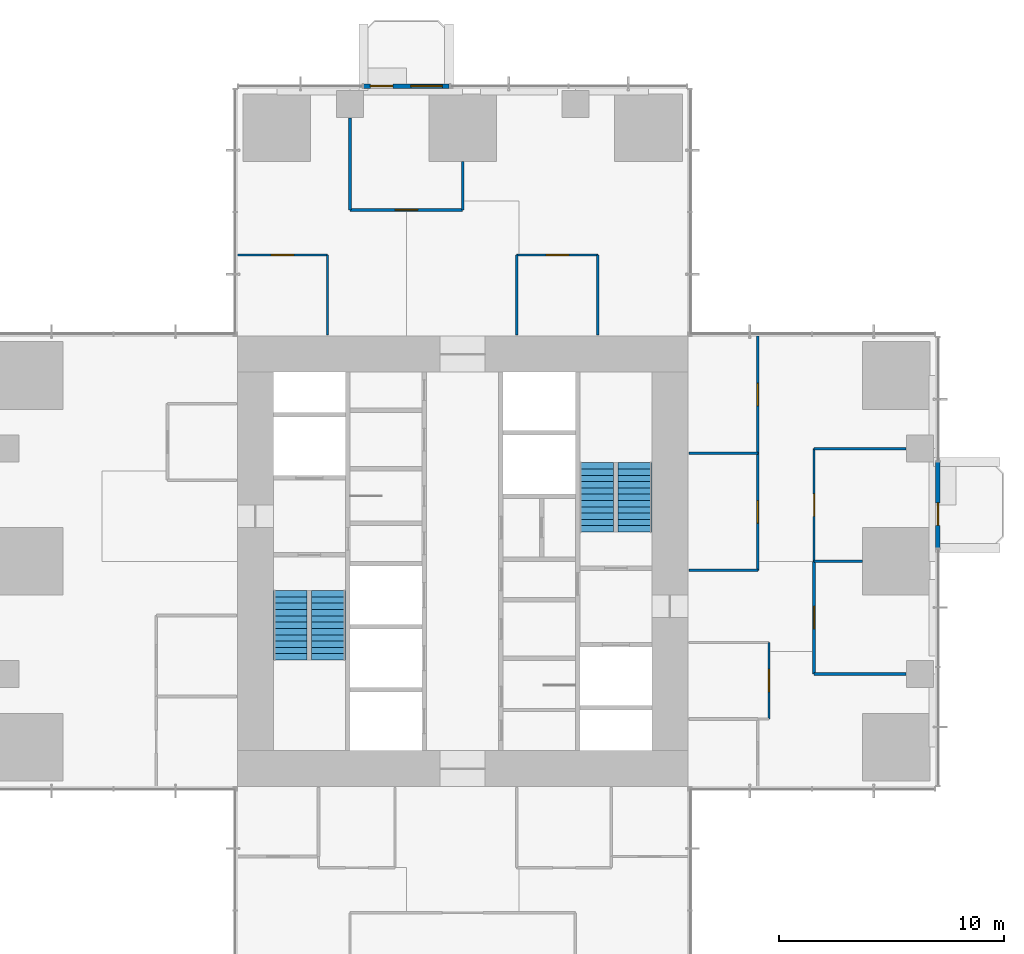
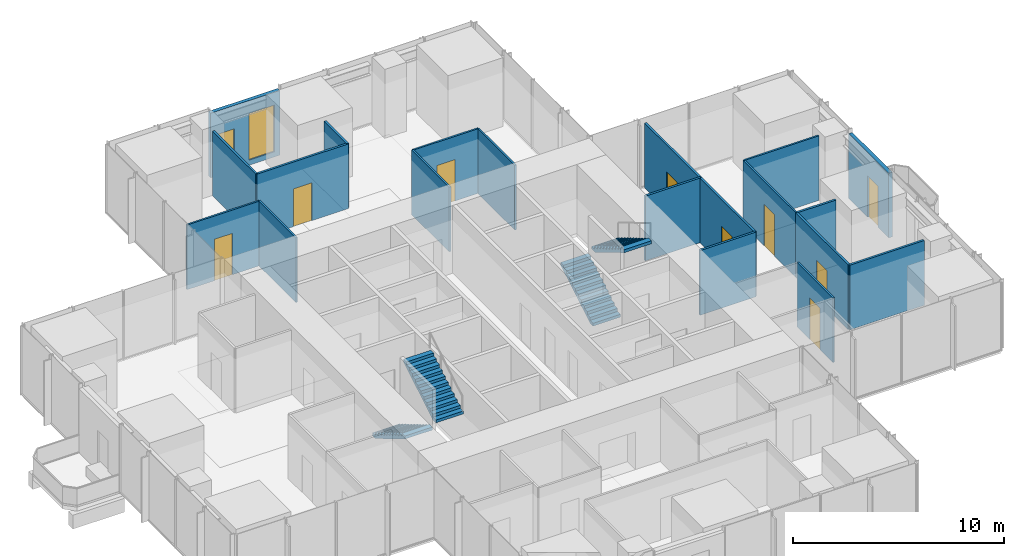
# One storey, part 10 of 13: 20 walls, 10 doors, 4 stair flights, 1 window, 11 openings, 2 elements without a shape of their own.
"""IFC4 building model written with IfcOpenShell, lengths in metres."""

from ifc_helpers import new_model, si_unit, direction, frame, frame_2d, origin, place, context, subcontext, project, spatial, polyline, rectangle, outline, extrude, material, layer, layer_set, type_object, element, fill, aggregate, save


model = new_model("IFC4")

# Units and contexts
model_context = context("Model", 3, precision=1e-05, world=origin(), true_north=direction((0.0, 1.0)))
body_context = subcontext(model_context, "Body", "Model", "MODEL_VIEW")
ifc_project = project(units=[si_unit("LENGTHUNIT", "METRE"), si_unit("AREAUNIT", "SQUARE_METRE"), si_unit("VOLUMEUNIT", "CUBIC_METRE"), si_unit("PLANEANGLEUNIT", "RADIAN"), si_unit("MASSUNIT", "GRAM", prefix="KILO")], contexts=[model_context])

# Site, building, storey
site_placement = place(None, origin())
site = spatial("IfcSite", under=ifc_project, at=site_placement, CompositionType="ELEMENT")
building_placement = place(site_placement, origin())
building = spatial("IfcBuilding", under=site, at=building_placement, Name="Svetlomir Tower", CompositionType="ELEMENT")
storey_placement = place(building_placement, frame((0.0, 0.0, 100.5)))
storey = spatial("IfcBuildingStorey", under=building, at=storey_placement, Name="L23", CompositionType="ELEMENT", Elevation=100.5)

# Wall, opening, door
ifc_material_1 = material(Name="Bronze anodised aluminium glazed screen", Category="aluminium")
ifc_layer_1 = layer(ifc_material_1, 0.199951171875)
ifc_layer_set_1 = layer_set([ifc_layer_1], Name="Bronze anodised aluminium glazed screen")
wall_type_1 = type_object("IfcWallType", Name="BALCONY SCREEN WALL 200", PredefinedType="USERDEFINED", material=ifc_layer_set_1)
wall_1_placement = place(storey_placement, frame((42.10009765625, 21.60009765625, 0.0), z_axis=(0.0, 0.0, 1.0), x_axis=(0.0, 1.0, 0.0)))
wall_1 = element("IfcWall", 1, at=wall_1_placement, inside=storey, type_object=wall_type_1, Name="Balcony screen E", ObjectType="GLAZED SCREEN", PredefinedType="USERDEFINED", context=body_context, shape_type="SweptSolid", body=[
    extrude(rectangle(XDim=3.7998046875, YDim=0.199951171875, at=frame_2d((1.89990234375, 0.0))), origin(), (0.0, 0.0, 1.0), 3.75),
])
opening_1_placement = place(wall_1_placement, frame((1.0, 0.0, 0.0)))
opening_1 = element("IfcOpeningElement", 2, at=opening_1_placement, cuts=wall_1, Name="Opening BD", PredefinedType="OPENING", context=body_context, shape_type="SweptSolid", body=[
    extrude(rectangle(XDim=1.0, YDim=2.39990234375, at=frame_2d((0.5, 1.199951171875))), frame((0.0, 0.10986328125, 0.0), z_axis=(0.0, -1.0, 0.0), x_axis=(1.0, 0.0, 0.0)), (0.0, 0.0, 1.0), 0.219970703125),
])
ifc_material_2 = material(Name="Bronze anodised aluminium glazed door", Category="aluminium")
door_type_1 = type_object("IfcDoorType", Name="BALCONY DOOR BD 1000x2400", OperationType="SINGLE_SWING_LEFT", PredefinedType="DOOR", material=ifc_material_2)
door_1_placement = place(opening_1_placement, origin())
door_1 = element("IfcDoor", 3, at=door_1_placement, inside=storey, type_object=door_type_1, Name="Balcony screen E door", OperationType="SINGLE_SWING_LEFT", OverallHeight=2.39990234375, OverallWidth=1.0, PredefinedType="DOOR", context=body_context, shape_type="SweptSolid", body=[
    extrude(rectangle(XDim=1.0, YDim=2.39990234375, at=frame_2d((0.5, 1.199951171875))), frame((0.0, 0.02490234375, 0.0), z_axis=(0.0, -1.0, 0.0), x_axis=(1.0, 0.0, 0.0)), (0.0, 0.0, 1.0), 0.050048828125),
])
fill(opening_1, door_1)

# Wall, openings, door, window
wall_2_placement = place(storey_placement, frame((20.39990234375, 42.10009765625, 0.0), z_axis=(0.0, 0.0, 1.0), x_axis=(-1.0, 0.0, 0.0)))
wall_2 = element("IfcWall", 4, at=wall_2_placement, inside=storey, type_object=wall_type_1, Name="Balcony screen N", ObjectType="GLAZED SCREEN", PredefinedType="USERDEFINED", context=body_context, shape_type="SweptSolid", body=[
    extrude(rectangle(XDim=3.7998046875, YDim=0.199951171875, at=frame_2d((1.89990234375, 0.0))), origin(), (0.0, 0.0, 1.0), 3.75),
])
opening_2_placement = place(wall_2_placement, frame((2.5, 0.0, 0.0)))
opening_2 = element("IfcOpeningElement", 5, at=opening_2_placement, cuts=wall_2, Name="Opening BD", PredefinedType="OPENING", context=body_context, shape_type="SweptSolid", body=[
    extrude(rectangle(XDim=1.0, YDim=2.39990234375, at=frame_2d((0.5, 1.199951171875))), frame((0.0, 0.10986328125, 0.0), z_axis=(0.0, -1.0, 0.0), x_axis=(1.0, 0.0, 0.0)), (0.0, 0.0, 1.0), 0.219970703125),
])
opening_3_placement = place(wall_2_placement, frame((0.300048828125, 0.0, 0.300048828125)))
opening_3 = element("IfcOpeningElement", 6, at=opening_3_placement, cuts=wall_2, Name="Opening WS2", PredefinedType="OPENING", context=body_context, shape_type="SweptSolid", body=[
    extrude(rectangle(XDim=1.39990234375, YDim=2.699951171875, at=frame_2d((0.699951171875, 1.35009765625))), frame((0.0, 0.10986328125, 0.0), z_axis=(0.0, -1.0, 0.0), x_axis=(1.0, 0.0, 0.0)), (0.0, 0.0, 1.0), 0.219970703125),
])
door_2_placement = place(opening_2_placement, origin())
door_2 = element("IfcDoor", 7, at=door_2_placement, inside=storey, type_object=door_type_1, Name="Balcony screen N door", OperationType="SINGLE_SWING_LEFT", OverallHeight=2.39990234375, OverallWidth=1.0, PredefinedType="DOOR", context=body_context, shape_type="SweptSolid", body=[
    extrude(rectangle(XDim=1.0, YDim=2.39990234375, at=frame_2d((0.5, 1.199951171875))), frame((0.0, 0.02490234375, 0.0), z_axis=(0.0, -1.0, 0.0), x_axis=(1.0, 0.0, 0.0)), (0.0, 0.0, 1.0), 0.050048828125),
])
fill(opening_2, door_2)
ifc_material_3 = material(Name="Bronze anodised aluminium window", Category="aluminium")
window_type = type_object("IfcWindowType", Name="SCREEN WINDOW WS2 1400x2700", PartitioningType="SINGLE_PANEL", PredefinedType="WINDOW", material=ifc_material_3)
window_placement = place(opening_3_placement, origin())
window = element("IfcWindow", 8, at=window_placement, inside=storey, type_object=window_type, Name="Balcony screen N window 1", OverallHeight=2.699951171875, OverallWidth=1.39990234375, PartitioningType="SINGLE_PANEL", PredefinedType="WINDOW", context=body_context, shape_type="SweptSolid", body=[
    extrude(rectangle(XDim=1.39990234375, YDim=2.699951171875, at=frame_2d((0.699951171875, 1.35009765625))), frame((0.0, 0.030029296875, 0.0), z_axis=(0.0, -1.0, 0.0), x_axis=(1.0, 0.0, 0.0)), (0.0, 0.0, 1.0), 0.06005859375),
])
fill(opening_3, window)

# Wall, opening, door
ifc_material_4 = material(Name="Framed laminated glass partition", Category="glass")
ifc_layer_2 = layer(ifc_material_4, 0.10009765625)
ifc_layer_set_2 = layer_set([ifc_layer_2], Name="Framed laminated glass partition")
wall_type_2 = type_object("IfcWallType", Name="GLAZED PARTITION 100", PredefinedType="PARTITIONING", material=ifc_layer_set_2)
wall_3_placement = place(storey_placement, frame((11.0, 34.60009765625, 0.0), z_axis=(0.0, 0.0, 1.0), x_axis=(1.0, 0.0, 0.0)))
wall_3 = element("IfcWall", 9, at=wall_3_placement, inside=storey, type_object=wall_type_2, Name="Glazed partition L23", PredefinedType="PARTITIONING", context=body_context, shape_type="SweptSolid", body=[
    extrude(rectangle(XDim=4.0, YDim=0.10009765625, at=frame_2d((2.0, 0.0))), origin(), (0.0, 0.0, 1.0), 3.75),
])
opening_4_placement = place(wall_3_placement, frame((1.5, 0.0, 0.0)))
opening_4 = element("IfcOpeningElement", 10, at=opening_4_placement, cuts=wall_3, Name="Opening DG", PredefinedType="OPENING", context=body_context, shape_type="SweptSolid", body=[
    extrude(rectangle(XDim=1.0, YDim=2.39990234375, at=frame_2d((0.5, 1.199951171875))), frame((0.0, 0.06005859375, 0.0), z_axis=(0.0, -1.0, 0.0), x_axis=(1.0, 0.0, 0.0)), (0.0, 0.0, 1.0), 0.1201171875),
])
ifc_material_5 = material(Name="Framed laminated glass door", Category="glass")
door_type_2 = type_object("IfcDoorType", Name="GLAZED DOOR DG 1000x2400", OperationType="SINGLE_SWING_LEFT", PredefinedType="DOOR", material=ifc_material_5)
door_3_placement = place(opening_4_placement, origin())
door_3 = element("IfcDoor", 11, at=door_3_placement, inside=storey, type_object=door_type_2, Name="Client advisory room, 8 seats door L23", OperationType="SINGLE_SWING_RIGHT", OverallHeight=2.39990234375, OverallWidth=1.0, PredefinedType="DOOR", context=body_context, shape_type="SweptSolid", body=[
    extrude(rectangle(XDim=1.0, YDim=2.39990234375, at=frame_2d((0.5, 1.199951171875))), frame((0.0, 0.02490234375, 0.0), z_axis=(0.0, -1.0, 0.0), x_axis=(1.0, 0.0, 0.0)), (0.0, 0.0, 1.0), 0.050048828125),
])
fill(opening_4, door_3)

# Walls
for number, where, z_axis, x_axis, name in (
    (12, (15.0, 31.050048828125, 0.0), (0.0, 0.0, 1.0), (0.0, 1.0, 0.0), "Glazed partition L23"),
    (13, (23.39990234375, 31.050048828125, 0.0), (0.0, 0.0, 1.0), (0.0, 1.0, 0.0), "Glazed partition L23"),
):
    element("IfcWall", number, at=place(storey_placement, frame(where, z_axis=z_axis, x_axis=x_axis)), inside=storey, type_object=wall_type_2, Name=name, PredefinedType="PARTITIONING", context=body_context, shape_type="SweptSolid", body=[
        extrude(rectangle(XDim=3.550048828125, YDim=0.10009765625, at=frame_2d((1.77490234375, 0.0))), origin(), (0.0, 0.0, 1.0), 3.75),
    ])

# Wall, opening, door
wall_4_placement = place(storey_placement, frame((23.39990234375, 34.60009765625, 0.0), z_axis=(0.0, 0.0, 1.0), x_axis=(1.0, 0.0, 0.0)))
wall_4 = element("IfcWall", 14, at=wall_4_placement, inside=storey, type_object=wall_type_2, Name="Glazed partition L23", PredefinedType="PARTITIONING", context=body_context, shape_type="SweptSolid", body=[
    extrude(rectangle(XDim=3.60009765625, YDim=0.10009765625, at=frame_2d((1.800048828125, 0.0))), origin(), (0.0, 0.0, 1.0), 3.75),
])
opening_5_placement = place(wall_4_placement, frame((1.300048828125, 0.0, 0.0)))
opening_5 = element("IfcOpeningElement", 15, at=opening_5_placement, cuts=wall_4, Name="Opening DG", PredefinedType="OPENING", context=body_context, shape_type="SweptSolid", body=[
    extrude(rectangle(XDim=1.0, YDim=2.39990234375, at=frame_2d((0.5, 1.199951171875))), frame((0.0, 0.06005859375, 0.0), z_axis=(0.0, -1.0, 0.0), x_axis=(1.0, 0.0, 0.0)), (0.0, 0.0, 1.0), 0.1201171875),
])
door_4_placement = place(opening_5_placement, origin())
door_4 = element("IfcDoor", 16, at=door_4_placement, inside=storey, type_object=door_type_2, Name="Focus room 2 door L23", OperationType="SINGLE_SWING_LEFT", OverallHeight=2.39990234375, OverallWidth=1.0, PredefinedType="DOOR", context=body_context, shape_type="SweptSolid", body=[
    extrude(rectangle(XDim=1.0, YDim=2.39990234375, at=frame_2d((0.5, 1.199951171875))), frame((0.0, 0.02490234375, 0.0), z_axis=(0.0, -1.0, 0.0), x_axis=(1.0, 0.0, 0.0)), (0.0, 0.0, 1.0), 0.050048828125),
])
fill(opening_5, door_4)

# Wall
wall_5_placement = place(storey_placement, frame((27.0, 31.050048828125, 0.0), z_axis=(0.0, 0.0, 1.0), x_axis=(0.0, 1.0, 0.0)))
element("IfcWall", 17, at=wall_5_placement, inside=storey, type_object=wall_type_2, Name="Glazed partition L23", PredefinedType="PARTITIONING", context=body_context, shape_type="SweptSolid", body=[
    extrude(rectangle(XDim=3.550048828125, YDim=0.10009765625, at=frame_2d((1.77490234375, 0.0))), origin(), (0.0, 0.0, 1.0), 3.75),
])

# Wall, opening, door
wall_6_placement = place(storey_placement, frame((34.60009765625, 14.0, 0.0), z_axis=(0.0, 0.0, 1.0), x_axis=(0.0, 1.0, 0.0)))
wall_6 = element("IfcWall", 18, at=wall_6_placement, inside=storey, type_object=wall_type_2, Name="Glazed partition L23", PredefinedType="PARTITIONING", context=body_context, shape_type="SweptSolid", body=[
    extrude(rectangle(XDim=3.39990234375, YDim=0.10009765625, at=frame_2d((1.699951171875, 0.0))), origin(), (0.0, 0.0, 1.0), 3.75),
])
opening_6_placement = place(wall_6_placement, frame((1.199951171875, 0.0, 0.0)))
opening_6 = element("IfcOpeningElement", 19, at=opening_6_placement, cuts=wall_6, Name="Opening DG", PredefinedType="OPENING", context=body_context, shape_type="SweptSolid", body=[
    extrude(rectangle(XDim=1.0, YDim=2.39990234375, at=frame_2d((0.5, 1.199951171875))), frame((0.0, 0.06005859375, 0.0), z_axis=(0.0, -1.0, 0.0), x_axis=(1.0, 0.0, 0.0)), (0.0, 0.0, 1.0), 0.1201171875),
])
door_5_placement = place(opening_6_placement, origin())
door_5 = element("IfcDoor", 20, at=door_5_placement, inside=storey, type_object=door_type_2, Name="Focus room 1 door L23", OperationType="SINGLE_SWING_LEFT", OverallHeight=2.39990234375, OverallWidth=1.0, PredefinedType="DOOR", context=body_context, shape_type="SweptSolid", body=[
    extrude(rectangle(XDim=1.0, YDim=2.39990234375, at=frame_2d((0.5, 1.199951171875))), frame((0.0, 0.02490234375, 0.0), z_axis=(0.0, -1.0, 0.0), x_axis=(1.0, 0.0, 0.0)), (0.0, 0.0, 1.0), 0.050048828125),
])
fill(opening_6, door_5)

wall_7_placement = place(storey_placement, frame((36.60009765625, 21.0, 0.0), z_axis=(0.0, 0.0, 1.0), x_axis=(0.0, 1.0, 0.0)))
wall_7 = element("IfcWall", 21, at=wall_7_placement, inside=storey, type_object=wall_type_2, Name="Glazed partition L23", PredefinedType="PARTITIONING", context=body_context, shape_type="SweptSolid", body=[
    extrude(rectangle(XDim=5.0, YDim=0.10009765625, at=frame_2d((2.5, 0.0))), origin(), (0.0, 0.0, 1.0), 3.75),
])
opening_7_placement = place(wall_7_placement, frame((2.0, 0.0, 0.0)))
opening_7 = element("IfcOpeningElement", 22, at=opening_7_placement, cuts=wall_7, Name="Opening DG", PredefinedType="OPENING", context=body_context, shape_type="SweptSolid", body=[
    extrude(rectangle(XDim=1.0, YDim=2.39990234375, at=frame_2d((0.5, 1.199951171875))), frame((0.0, 0.06005859375, 0.0), z_axis=(0.0, -1.0, 0.0), x_axis=(1.0, 0.0, 0.0)), (0.0, 0.0, 1.0), 0.1201171875),
])
door_6_placement = place(opening_7_placement, origin())
door_6 = element("IfcDoor", 23, at=door_6_placement, inside=storey, type_object=door_type_2, Name="Client lounge door L23", OperationType="SINGLE_SWING_LEFT", OverallHeight=2.39990234375, OverallWidth=1.0, PredefinedType="DOOR", context=body_context, shape_type="SweptSolid", body=[
    extrude(rectangle(XDim=1.0, YDim=2.39990234375, at=frame_2d((0.5, 1.199951171875))), frame((0.0, 0.02490234375, 0.0), z_axis=(0.0, -1.0, 0.0), x_axis=(1.0, 0.0, 0.0)), (0.0, 0.0, 1.0), 0.050048828125),
])
fill(opening_7, door_6)

# Walls
wall_8_placement = place(storey_placement, frame((36.60009765625, 26.0, 0.0), z_axis=(0.0, 0.0, 1.0), x_axis=(1.0, 0.0, 0.0)))
element("IfcWall", 24, at=wall_8_placement, inside=storey, type_object=wall_type_2, Name="Glazed partition L23", PredefinedType="PARTITIONING", context=body_context, shape_type="SweptSolid", body=[
    extrude(rectangle(XDim=4.08984375, YDim=0.10009765625, at=frame_2d((2.044921875, 0.0))), origin(), (0.0, 0.0, 1.0), 3.75),
])
ifc_material_6 = material(Name="Gypsum board on steel studs", Category="steel")
ifc_layer_3 = layer(ifc_material_6, 0.1201171875)
ifc_layer_set_3 = layer_set([ifc_layer_3], Name="Gypsum board on steel studs")
wall_type_3 = type_object("IfcWallType", Name="PARTITION 120", PredefinedType="PARTITIONING", material=ifc_layer_set_3)
wall_9_placement = place(storey_placement, frame((16.0, 36.60009765625, 0.0), z_axis=(0.0, 0.0, 1.0), x_axis=(0.0, 1.0, 0.0)))
element("IfcWall", 25, at=wall_9_placement, inside=storey, type_object=wall_type_3, Name="Partition L23", PredefinedType="PARTITIONING", context=body_context, shape_type="SweptSolid", body=[
    extrude(rectangle(XDim=4.08984375, YDim=0.1201171875, at=frame_2d((2.044921875, 0.0))), origin(), (0.0, 0.0, 1.0), 3.75),
])

# Wall, opening, door
wall_10_placement = place(storey_placement, frame((16.0, 36.60009765625, 0.0), z_axis=(0.0, 0.0, 1.0), x_axis=(1.0, 0.0, 0.0)))
wall_10 = element("IfcWall", 26, at=wall_10_placement, inside=storey, type_object=wall_type_3, Name="Partition L23", PredefinedType="PARTITIONING", context=body_context, shape_type="SweptSolid", body=[
    extrude(rectangle(XDim=5.0, YDim=0.1201171875, at=frame_2d((2.5, 0.0))), origin(), (0.0, 0.0, 1.0), 3.75),
])
opening_8_placement = place(wall_10_placement, frame((2.0, 0.0, 0.0)))
opening_8 = element("IfcOpeningElement", 27, at=opening_8_placement, cuts=wall_10, Name="Opening DR", PredefinedType="OPENING", context=body_context, shape_type="SweptSolid", body=[
    extrude(rectangle(XDim=1.0, YDim=2.199951171875, at=frame_2d((0.5, 1.10009765625))), frame((0.0, 0.070068359375, 0.0), z_axis=(0.0, -1.0, 0.0), x_axis=(1.0, 0.0, 0.0)), (0.0, 0.0, 1.0), 0.14013671875),
])
ifc_material_7 = material(Name="Timber door, glazed side light", Category="wood")
door_type_3 = type_object("IfcDoorType", Name="DOOR DR 1000x2200", OperationType="SINGLE_SWING_LEFT", PredefinedType="DOOR", material=ifc_material_7)
door_7_placement = place(opening_8_placement, origin())
door_7 = element("IfcDoor", 28, at=door_7_placement, inside=storey, type_object=door_type_3, Name="Client service office door L23", OperationType="SINGLE_SWING_RIGHT", OverallHeight=2.199951171875, OverallWidth=1.0, PredefinedType="DOOR", context=body_context, shape_type="SweptSolid", body=[
    extrude(rectangle(XDim=1.0, YDim=2.199951171875, at=frame_2d((0.5, 1.10009765625))), frame((0.0, 0.02490234375, 0.0), z_axis=(0.0, -1.0, 0.0), x_axis=(1.0, 0.0, 0.0)), (0.0, 0.0, 1.0), 0.050048828125),
])
fill(opening_8, door_7)

# Walls
wall_11_placement = place(storey_placement, frame((21.0, 36.60009765625, 0.0), z_axis=(0.0, 0.0, 1.0), x_axis=(0.0, 1.0, 0.0)))
element("IfcWall", 29, at=wall_11_placement, inside=storey, type_object=wall_type_3, Name="Partition L23", PredefinedType="PARTITIONING", context=body_context, shape_type="SweptSolid", body=[
    extrude(rectangle(XDim=2.139892578125, YDim=0.1201171875, at=frame_2d((1.06982421875, 0.0))), origin(), (0.0, 0.0, 1.0), 3.75),
])
for number, where, z_axis, x_axis, name in (
    (30, (31.050048828125, 20.60009765625, 0.0), (0.0, 0.0, 1.0), (1.0, 0.0, 0.0), "Partition L23"),
    (31, (31.050048828125, 25.800048828125, 0.0), (0.0, 0.0, 1.0), (1.0, 0.0, 0.0), "Partition L23"),
):
    element("IfcWall", number, at=place(storey_placement, frame(where, z_axis=z_axis, x_axis=x_axis)), inside=storey, type_object=wall_type_3, Name=name, PredefinedType="PARTITIONING", context=body_context, shape_type="SweptSolid", body=[
        extrude(rectangle(XDim=3.050048828125, YDim=0.1201171875, at=frame_2d((1.52490234375, 0.0))), origin(), (0.0, 0.0, 1.0), 3.75),
    ])

# Wall, opening, door
wall_12_placement = place(storey_placement, frame((34.10009765625, 20.60009765625, 0.0), z_axis=(0.0, 0.0, 1.0), x_axis=(0.0, 1.0, 0.0)))
wall_12 = element("IfcWall", 32, at=wall_12_placement, inside=storey, type_object=wall_type_3, Name="Partition L23", PredefinedType="PARTITIONING", context=body_context, shape_type="SweptSolid", body=[
    extrude(rectangle(XDim=5.199951171875, YDim=0.1201171875, at=frame_2d((2.60009765625, 0.0))), origin(), (0.0, 0.0, 1.0), 3.75),
])
opening_9_placement = place(wall_12_placement, frame((2.10009765625, 0.0, 0.0)))
opening_9 = element("IfcOpeningElement", 33, at=opening_9_placement, cuts=wall_12, Name="Opening DR", PredefinedType="OPENING", context=body_context, shape_type="SweptSolid", body=[
    extrude(rectangle(XDim=1.0, YDim=2.199951171875, at=frame_2d((0.5, 1.10009765625))), frame((0.0, 0.070068359375, 0.0), z_axis=(0.0, -1.0, 0.0), x_axis=(1.0, 0.0, 0.0)), (0.0, 0.0, 1.0), 0.14013671875),
])
door_8_placement = place(opening_9_placement, origin())
door_8 = element("IfcDoor", 34, at=door_8_placement, inside=storey, type_object=door_type_3, Name="File store door L23", OperationType="SINGLE_SWING_RIGHT", OverallHeight=2.199951171875, OverallWidth=1.0, PredefinedType="DOOR", context=body_context, shape_type="SweptSolid", body=[
    extrude(rectangle(XDim=1.0, YDim=2.199951171875, at=frame_2d((0.5, 1.10009765625))), frame((0.0, 0.02490234375, 0.0), z_axis=(0.0, -1.0, 0.0), x_axis=(1.0, 0.0, 0.0)), (0.0, 0.0, 1.0), 0.050048828125),
])
fill(opening_9, door_8)

wall_13_placement = place(storey_placement, frame((34.10009765625, 25.800048828125, 0.0), z_axis=(0.0, 0.0, 1.0), x_axis=(0.0, 1.0, 0.0)))
wall_13 = element("IfcWall", 35, at=wall_13_placement, inside=storey, type_object=wall_type_3, Name="Partition L23", PredefinedType="PARTITIONING", context=body_context, shape_type="SweptSolid", body=[
    extrude(rectangle(XDim=5.199951171875, YDim=0.1201171875, at=frame_2d((2.60009765625, 0.0))), origin(), (0.0, 0.0, 1.0), 3.75),
])
opening_10_placement = place(wall_13_placement, frame((2.10009765625, 0.0, 0.0)))
opening_10 = element("IfcOpeningElement", 36, at=opening_10_placement, cuts=wall_13, Name="Opening DR", PredefinedType="OPENING", context=body_context, shape_type="SweptSolid", body=[
    extrude(rectangle(XDim=1.0, YDim=2.199951171875, at=frame_2d((0.5, 1.10009765625))), frame((0.0, 0.070068359375, 0.0), z_axis=(0.0, -1.0, 0.0), x_axis=(1.0, 0.0, 0.0)), (0.0, 0.0, 1.0), 0.14013671875),
])
door_9_placement = place(opening_10_placement, origin())
door_9 = element("IfcDoor", 37, at=door_9_placement, inside=storey, type_object=door_type_3, Name="Records store door L23", OperationType="SINGLE_SWING_LEFT", OverallHeight=2.199951171875, OverallWidth=1.0, PredefinedType="DOOR", context=body_context, shape_type="SweptSolid", body=[
    extrude(rectangle(XDim=1.0, YDim=2.199951171875, at=frame_2d((0.5, 1.10009765625))), frame((0.0, 0.02490234375, 0.0), z_axis=(0.0, -1.0, 0.0), x_axis=(1.0, 0.0, 0.0)), (0.0, 0.0, 1.0), 0.050048828125),
])
fill(opening_10, door_9)

wall_14_placement = place(storey_placement, frame((36.60009765625, 16.0, 0.0), z_axis=(0.0, 0.0, 1.0), x_axis=(0.0, 1.0, 0.0)))
wall_14 = element("IfcWall", 38, at=wall_14_placement, inside=storey, type_object=wall_type_3, Name="Partition L23", PredefinedType="PARTITIONING", context=body_context, shape_type="SweptSolid", body=[
    extrude(rectangle(XDim=5.0, YDim=0.1201171875, at=frame_2d((2.5, 0.0))), origin(), (0.0, 0.0, 1.0), 3.75),
])
opening_11_placement = place(wall_14_placement, frame((2.0, 0.0, 0.0)))
opening_11 = element("IfcOpeningElement", 39, at=opening_11_placement, cuts=wall_14, Name="Opening DR", PredefinedType="OPENING", context=body_context, shape_type="SweptSolid", body=[
    extrude(rectangle(XDim=1.0, YDim=2.199951171875, at=frame_2d((0.5, 1.10009765625))), frame((0.0, 0.070068359375, 0.0), z_axis=(0.0, -1.0, 0.0), x_axis=(1.0, 0.0, 0.0)), (0.0, 0.0, 1.0), 0.14013671875),
])
door_10_placement = place(opening_11_placement, origin())
door_10 = element("IfcDoor", 40, at=door_10_placement, inside=storey, type_object=door_type_3, Name="Relationship manager office door L23", OperationType="SINGLE_SWING_LEFT", OverallHeight=2.199951171875, OverallWidth=1.0, PredefinedType="DOOR", context=body_context, shape_type="SweptSolid", body=[
    extrude(rectangle(XDim=1.0, YDim=2.199951171875, at=frame_2d((0.5, 1.10009765625))), frame((0.0, 0.02490234375, 0.0), z_axis=(0.0, -1.0, 0.0), x_axis=(1.0, 0.0, 0.0)), (0.0, 0.0, 1.0), 0.050048828125),
])
fill(opening_11, door_10)

# Walls
wall_15_placement = place(storey_placement, frame((36.60009765625, 16.0, 0.0), z_axis=(0.0, 0.0, 1.0), x_axis=(1.0, 0.0, 0.0)))
element("IfcWall", 41, at=wall_15_placement, inside=storey, type_object=wall_type_3, Name="Partition L23", PredefinedType="PARTITIONING", context=body_context, shape_type="SweptSolid", body=[
    extrude(rectangle(XDim=4.08984375, YDim=0.1201171875, at=frame_2d((2.044921875, 0.0))), origin(), (0.0, 0.0, 1.0), 3.75),
])
wall_16_placement = place(storey_placement, frame((36.60009765625, 21.0, 0.0), z_axis=(0.0, 0.0, 1.0), x_axis=(1.0, 0.0, 0.0)))
element("IfcWall", 42, at=wall_16_placement, inside=storey, type_object=wall_type_3, Name="Partition L23", PredefinedType="PARTITIONING", context=body_context, shape_type="SweptSolid", body=[
    extrude(rectangle(XDim=2.139892578125, YDim=0.1201171875, at=frame_2d((1.06982421875, 0.0))), origin(), (0.0, 0.0, 1.0), 3.75),
])

# Stair, stair flights
ifc_material_8 = material(Name="Concrete C60/75", Category="concrete")
stair_type = type_object("IfcStairType", Name="EXIT STAIR 3200 RISE 4000", PredefinedType="HALF_TURN_STAIR", material=ifc_material_8)
stair_1_placement = place(storey_placement, origin())
stair_1 = element("IfcStair", 43, at=stair_1_placement, inside=storey, type_object=stair_type, Name="Stair S1 L23 to L24", PredefinedType="HALF_TURN_STAIR")
ifc_material_9 = material(Name="Concrete C60/75", Category="concrete")
stair_flight_type = type_object("IfcStairFlightType", Name="STAIR FLIGHT 1500 OF 12 RISERS", PredefinedType="STRAIGHT", material=ifc_material_9)
stair_flight_1_placement = place(storey_placement, frame((13.35009765625, 19.699951171875, 0.0), z_axis=(0.0, 0.0, 1.0), x_axis=(0.0, -1.0, 0.0)))
stair_flight_1 = element("IfcStairFlight", 44, at=stair_flight_1_placement, type_object=stair_flight_type, Name="S1 flight 1", NumberOfRisers=12, NumberOfTreads=11, PredefinedType="STRAIGHT", RiserHeight=0.166666667, TreadLength=0.28, context=body_context, shape_type="SweptSolid", body=[
    extrude(outline(polyline([(0.0, 0.0), (0.0, 0.166748046875), (0.280029296875, 0.166748046875), (0.280029296875, 0.333251953125), (0.56005859375, 0.333251953125), (0.56005859375, 0.5), (0.840087890625, 0.5), (0.840087890625, 0.666748046875), (1.1201171875, 0.666748046875), (1.1201171875, 0.833251953125), (1.39990234375, 0.833251953125), (1.39990234375, 1.0), (1.679931640625, 1.0), (1.679931640625, 1.166748046875), (1.9599609375, 1.166748046875), (1.9599609375, 1.333251953125), (2.239990234375, 1.333251953125), (2.239990234375, 1.5), (2.52001953125, 1.5), (2.52001953125, 1.666748046875), (2.800048828125, 1.666748046875), (2.800048828125, 1.833251953125), (3.080078125, 1.833251953125), (3.080078125, 2.0), (3.080078125, 1.658935546875), (0.29296875, 0.0), (0.0, 0.0)])), frame((0.0, 0.75, 0.0), z_axis=(0.0, -1.0, 0.0), x_axis=(1.0, 0.0, 0.0)), (0.0, 0.0, 1.0), 1.5),
])
stair_flight_2_placement = place(storey_placement, frame((15.050048828125, 16.6201171875, 2.0), z_axis=(0.0, 0.0, 1.0), x_axis=(0.0, 1.0, 0.0)))
stair_flight_2 = element("IfcStairFlight", 45, at=stair_flight_2_placement, type_object=stair_flight_type, Name="S1 flight 2", NumberOfRisers=12, NumberOfTreads=11, PredefinedType="STRAIGHT", RiserHeight=0.166666667, TreadLength=0.28, context=body_context, shape_type="SweptSolid", body=[
    extrude(outline(polyline([(0.0, 0.0), (0.0, 0.166748046875), (0.280029296875, 0.166748046875), (0.280029296875, 0.333251953125), (0.56005859375, 0.333251953125), (0.56005859375, 0.5), (0.840087890625, 0.5), (0.840087890625, 0.666748046875), (1.1201171875, 0.666748046875), (1.1201171875, 0.833251953125), (1.39990234375, 0.833251953125), (1.39990234375, 1.0), (1.679931640625, 1.0), (1.679931640625, 1.166748046875), (1.9599609375, 1.166748046875), (1.9599609375, 1.333251953125), (2.239990234375, 1.333251953125), (2.239990234375, 1.5), (2.52001953125, 1.5), (2.52001953125, 1.666748046875), (2.800048828125, 1.666748046875), (2.800048828125, 1.833251953125), (3.080078125, 1.833251953125), (3.080078125, 2.0), (3.080078125, 1.658935546875), (0.29296875, 0.0), (0.0, 0.0)])), frame((0.0, 0.75, 0.0), z_axis=(0.0, -1.0, 0.0), x_axis=(1.0, 0.0, 0.0)), (0.0, 0.0, 1.0), 1.5),
])
aggregate(stair_1, [stair_flight_1, stair_flight_2])

stair_2_placement = place(storey_placement, origin())
stair_2 = element("IfcStair", 46, at=stair_2_placement, inside=storey, type_object=stair_type, Name="Stair S2 L23 to L24", PredefinedType="HALF_TURN_STAIR")
stair_flight_3_placement = place(storey_placement, frame((26.949951171875, 22.300048828125, 0.0), z_axis=(0.0, 0.0, 1.0), x_axis=(0.0, 1.0, 0.0)))
stair_flight_3 = element("IfcStairFlight", 47, at=stair_flight_3_placement, type_object=stair_flight_type, Name="S2 flight 1", NumberOfRisers=12, NumberOfTreads=11, PredefinedType="STRAIGHT", RiserHeight=0.166666667, TreadLength=0.28, context=body_context, shape_type="SweptSolid", body=[
    extrude(outline(polyline([(0.0, 0.0), (0.0, 0.166748046875), (0.280029296875, 0.166748046875), (0.280029296875, 0.333251953125), (0.56005859375, 0.333251953125), (0.56005859375, 0.5), (0.840087890625, 0.5), (0.840087890625, 0.666748046875), (1.1201171875, 0.666748046875), (1.1201171875, 0.833251953125), (1.39990234375, 0.833251953125), (1.39990234375, 1.0), (1.679931640625, 1.0), (1.679931640625, 1.166748046875), (1.9599609375, 1.166748046875), (1.9599609375, 1.333251953125), (2.239990234375, 1.333251953125), (2.239990234375, 1.5), (2.52001953125, 1.5), (2.52001953125, 1.666748046875), (2.800048828125, 1.666748046875), (2.800048828125, 1.833251953125), (3.080078125, 1.833251953125), (3.080078125, 2.0), (3.080078125, 1.658935546875), (0.29296875, 0.0), (0.0, 0.0)])), frame((0.0, 0.75, 0.0), z_axis=(0.0, -1.0, 0.0), x_axis=(1.0, 0.0, 0.0)), (0.0, 0.0, 1.0), 1.5),
])
stair_flight_4_placement = place(storey_placement, frame((28.64990234375, 25.3798828125, 2.0), z_axis=(0.0, 0.0, 1.0), x_axis=(0.0, -1.0, 0.0)))
stair_flight_4 = element("IfcStairFlight", 48, at=stair_flight_4_placement, type_object=stair_flight_type, Name="S2 flight 2", NumberOfRisers=12, NumberOfTreads=11, PredefinedType="STRAIGHT", RiserHeight=0.166666667, TreadLength=0.28, context=body_context, shape_type="SweptSolid", body=[
    extrude(outline(polyline([(0.0, 0.0), (0.0, 0.166748046875), (0.280029296875, 0.166748046875), (0.280029296875, 0.333251953125), (0.56005859375, 0.333251953125), (0.56005859375, 0.5), (0.840087890625, 0.5), (0.840087890625, 0.666748046875), (1.1201171875, 0.666748046875), (1.1201171875, 0.833251953125), (1.39990234375, 0.833251953125), (1.39990234375, 1.0), (1.679931640625, 1.0), (1.679931640625, 1.166748046875), (1.9599609375, 1.166748046875), (1.9599609375, 1.333251953125), (2.239990234375, 1.333251953125), (2.239990234375, 1.5), (2.52001953125, 1.5), (2.52001953125, 1.666748046875), (2.800048828125, 1.666748046875), (2.800048828125, 1.833251953125), (3.080078125, 1.833251953125), (3.080078125, 2.0), (3.080078125, 1.658935546875), (0.29296875, 0.0), (0.0, 0.0)])), frame((0.0, 0.75, 0.0), z_axis=(0.0, -1.0, 0.0), x_axis=(1.0, 0.0, 0.0)), (0.0, 0.0, 1.0), 1.5),
])
aggregate(stair_2, [stair_flight_3, stair_flight_4])

save(model, "model.ifc")
